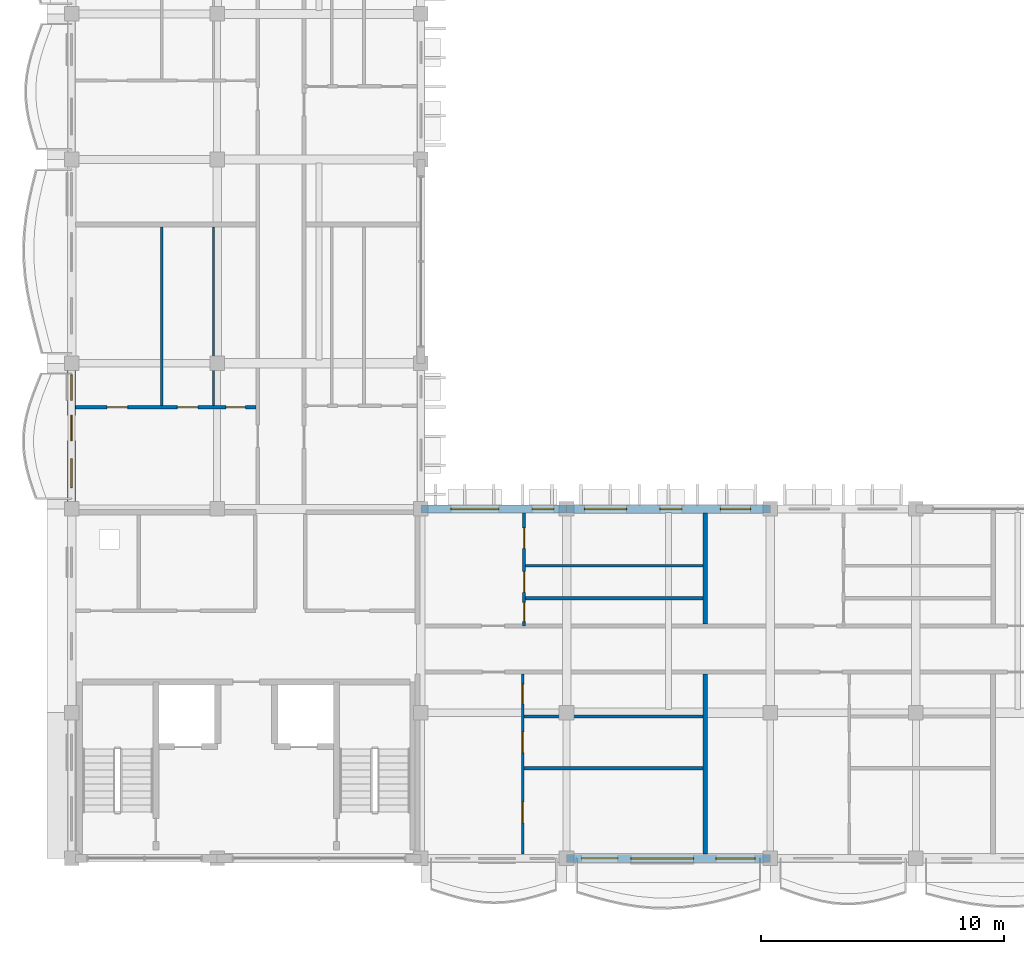
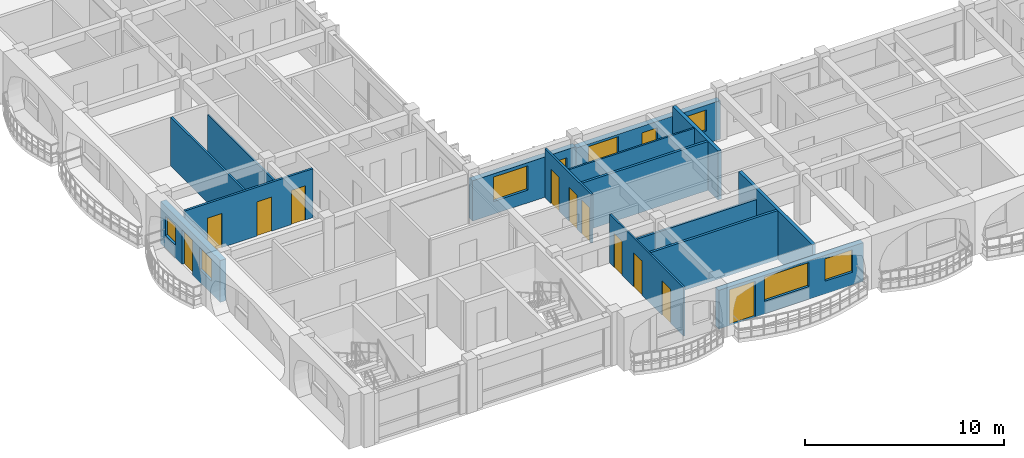
# One storey, part 26 of 79: 15 walls, 11 doors, 9 windows, 20 openings.
"""IFC4 building model written with IfcOpenShell, lengths in metres."""

from ifc_helpers import new_model, si_unit, direction, frame, frame_2d, origin, place, context, subcontext, project, spatial, rectangle, extrude, material, layer, layer_set, type_object, element, fill, save


model = new_model("IFC4")

# Units and contexts
model_context = context("Model", 3, precision=1e-05, world=origin(), true_north=direction((0.0, 1.0)))
body_context = subcontext(model_context, "Body", "Model", "MODEL_VIEW")
ifc_project = project(units=[si_unit("LENGTHUNIT", "METRE"), si_unit("AREAUNIT", "SQUARE_METRE"), si_unit("VOLUMEUNIT", "CUBIC_METRE"), si_unit("PLANEANGLEUNIT", "RADIAN"), si_unit("MASSUNIT", "GRAM", prefix="KILO"), si_unit("THERMODYNAMICTEMPERATUREUNIT", "KELVIN")], contexts=[model_context])

# Site, building, storey
site_placement = place(None, origin())
site = spatial("IfcSite", under=ifc_project, at=site_placement, CompositionType="ELEMENT")
building_placement = place(site_placement, origin())
building = spatial("IfcBuilding", under=site, at=building_placement, Name="Thalorik Housing Commons", CompositionType="ELEMENT")
storey_placement = place(building_placement, frame((0.0, 0.0, 11.39990234375)))
storey = spatial("IfcBuildingStorey", under=building, at=storey_placement, Name="L03", CompositionType="ELEMENT", Elevation=11.39990234375)

# Wall, openings, door, windows
ifc_material_1 = material(Name="White precast concrete C40/50", Category="concrete")
ifc_layer_1 = layer(ifc_material_1, 0.3349609375, Name="White precast concrete C40/50", Category="concrete")
ifc_layer_set_1 = layer_set([ifc_layer_1], Name="White precast concrete C40/50")
wall_type_1 = type_object("IfcWallType", Name="ARC-WAL-EXT-335", PredefinedType="STANDARD", material=ifc_layer_set_1)
wall_1_placement = place(storey_placement, frame((8.39990234375, 28.800048828125, 0.0), z_axis=(0.0, 0.0, 1.0), x_axis=(0.0, -1.0, 0.0)))
wall_1 = element("IfcWall", 1, at=wall_1_placement, inside=storey, type_object=wall_type_1, Name="L03 Exterior Wall WAL-EXT-L03-C-0916", PredefinedType="STANDARD", context=body_context, shape_type="SweptSolid", body=[
    extrude(rectangle(XDim=6.0, YDim=0.3349609375, at=frame_2d((3.0, 0.0))), origin(), (0.0, 0.0, 1.0), 2.5751953125),
])
opening_1_placement = place(wall_1_placement, frame((2.139892578125, 0.0, 0.0)))
opening_1 = element("IfcOpeningElement", 2, at=opening_1_placement, cuts=wall_1, Name="Opening ED-0302", PredefinedType="OPENING", context=body_context, shape_type="SweptSolid", body=[
    extrude(rectangle(XDim=1.050048828125, YDim=2.14990234375, at=frame_2d((0.52490234375, 1.074951171875))), frame((0.0, 0.177490234375, 0.0), z_axis=(0.0, -1.0, 0.0), x_axis=(1.0, 0.0, 0.0)), (0.0, 0.0, 1.0), 0.35498046875),
])
opening_2_placement = place(wall_1_placement, frame((0.47509765625, 0.0, 0.780029296875)))
opening_2 = element("IfcOpeningElement", 3, at=opening_2_placement, cuts=wall_1, Name="Opening W-44", PredefinedType="OPENING", context=body_context, shape_type="SweptSolid", body=[
    extrude(rectangle(XDim=1.050048828125, YDim=1.199951171875, at=frame_2d((0.52490234375, 0.60009765625))), frame((0.0, 0.177490234375, 0.0), z_axis=(0.0, -1.0, 0.0), x_axis=(1.0, 0.0, 0.0)), (0.0, 0.0, 1.0), 0.35498046875),
])
opening_3_placement = place(wall_1_placement, frame((3.925048828125, 0.0, 0.780029296875)))
opening_3 = element("IfcOpeningElement", 4, at=opening_3_placement, cuts=wall_1, Name="Opening W-04", PredefinedType="OPENING", context=body_context, shape_type="SweptSolid", body=[
    extrude(rectangle(XDim=1.199951171875, YDim=1.35009765625, at=frame_2d((0.60009765625, 0.675048828125))), frame((0.0, 0.177490234375, 0.0), z_axis=(0.0, -1.0, 0.0), x_axis=(1.0, 0.0, 0.0)), (0.0, 0.0, 1.0), 0.35498046875),
])
ifc_material_2 = material(Name="Anodised aluminium and laminated safety glass", Category="aluminium")
door_type_1 = type_object("IfcDoorType", Name="ARC-DR-BAL-1050", OperationType="NOTDEFINED", PredefinedType="DOOR", material=ifc_material_2)
door_1_placement = place(opening_1_placement, frame((1.050048828125, 0.0, 0.0), z_axis=(0.0, 0.0, 1.0), x_axis=(-1.0, 0.0, 0.0)))
door_1 = element("IfcDoor", 5, at=door_1_placement, inside=storey, type_object=door_type_1, Name="L03 Block C Balcony Glazed Door", OperationType="SINGLE_SWING_LEFT", OverallHeight=2.14990234375, OverallWidth=1.050048828125, PredefinedType="DOOR", context=body_context, shape_type="SweptSolid", body=[
    extrude(rectangle(XDim=1.050048828125, YDim=2.14990234375, at=frame_2d((0.52490234375, 1.074951171875))), frame((0.0, 0.02490234375, 0.0), z_axis=(0.0, -1.0, 0.0), x_axis=(1.0, 0.0, 0.0)), (0.0, 0.0, 1.0), 0.050048828125),
])
fill(opening_1, door_1)
ifc_material_3 = material(Name="Anodised aluminium and solar-control low-E glass", Category="aluminium")
window_type_1 = type_object("IfcWindowType", Name="ARC-WIN-04", PartitioningType="SINGLE_PANEL", PredefinedType="WINDOW", material=ifc_material_3)
window_1_placement = place(opening_3_placement, origin())
window_1 = element("IfcWindow", 6, at=window_1_placement, inside=storey, type_object=window_type_1, Name="L03 Facade Window 1695", OverallHeight=1.35009765625, OverallWidth=1.199951171875, PartitioningType="SINGLE_PANEL", PredefinedType="WINDOW", context=body_context, shape_type="SweptSolid", body=[
    extrude(rectangle(XDim=1.199951171875, YDim=1.35009765625, at=frame_2d((0.60009765625, 0.675048828125))), frame((0.0, 0.030029296875, 0.0), z_axis=(0.0, -1.0, 0.0), x_axis=(1.0, 0.0, 0.0)), (0.0, 0.0, 1.0), 0.06005859375),
])
fill(opening_3, window_1)
window_type_2 = type_object("IfcWindowType", Name="ARC-WIN-44", PartitioningType="SINGLE_PANEL", PredefinedType="WINDOW", material=ifc_material_3)
window_2_placement = place(opening_2_placement, origin())
window_2 = element("IfcWindow", 7, at=window_2_placement, inside=storey, type_object=window_type_2, Name="L03 Facade Window 1694", OverallHeight=1.199951171875, OverallWidth=1.050048828125, PartitioningType="SINGLE_PANEL", PredefinedType="WINDOW", context=body_context, shape_type="SweptSolid", body=[
    extrude(rectangle(XDim=1.050048828125, YDim=1.199951171875, at=frame_2d((0.52490234375, 0.60009765625))), frame((0.0, 0.030029296875, 0.0), z_axis=(0.0, -1.0, 0.0), x_axis=(1.0, 0.0, 0.0)), (0.0, 0.0, 1.0), 0.06005859375),
])
fill(opening_2, window_2)

wall_2_placement = place(storey_placement, frame((28.800048828125, 8.39990234375, 0.0), z_axis=(0.0, 0.0, 1.0), x_axis=(1.0, 0.0, 0.0)))
wall_2 = element("IfcWall", 8, at=wall_2_placement, inside=storey, type_object=wall_type_1, Name="L03 Exterior Wall WAL-EXT-L03-C-0922", PredefinedType="STANDARD", context=body_context, shape_type="SweptSolid", body=[
    extrude(rectangle(XDim=8.39990234375, YDim=0.3349609375, at=frame_2d((4.199951171875, 0.0))), origin(), (0.0, 0.0, 1.0), 2.375),
])
opening_4_placement = place(wall_2_placement, frame((0.6201171875, 0.0, 0.0)))
opening_4 = element("IfcOpeningElement", 9, at=opening_4_placement, cuts=wall_2, Name="Opening ED-0304", PredefinedType="OPENING", context=body_context, shape_type="SweptSolid", body=[
    extrude(rectangle(XDim=1.5, YDim=2.199951171875, at=frame_2d((0.75, 1.10009765625))), frame((0.0, 0.177490234375, 0.0), z_axis=(0.0, -1.0, 0.0), x_axis=(1.0, 0.0, 0.0)), (0.0, 0.0, 1.0), 0.35498046875),
])
opening_5_placement = place(wall_2_placement, frame((2.655029296875, 0.0, 0.780029296875)))
opening_5 = element("IfcOpeningElement", 10, at=opening_5_placement, cuts=wall_2, Name="Opening W-73", PredefinedType="OPENING", context=body_context, shape_type="SweptSolid", body=[
    extrude(rectangle(XDim=2.580078125, YDim=1.47998046875, at=frame_2d((1.2900390625, 0.739990234375))), frame((0.0, 0.177490234375, 0.0), z_axis=(0.0, -1.0, 0.0), x_axis=(1.0, 0.0, 0.0)), (0.0, 0.0, 1.0), 0.35498046875),
])
opening_6_placement = place(wall_2_placement, frame((6.155029296875, 0.0, 0.780029296875)))
opening_6 = element("IfcOpeningElement", 11, at=opening_6_placement, cuts=wall_2, Name="Opening W-54", PredefinedType="OPENING", context=body_context, shape_type="SweptSolid", body=[
    extrude(rectangle(XDim=1.6201171875, YDim=1.3798828125, at=frame_2d((0.81005859375, 0.68994140625))), frame((0.0, 0.177490234375, 0.0), z_axis=(0.0, -1.0, 0.0), x_axis=(1.0, 0.0, 0.0)), (0.0, 0.0, 1.0), 0.35498046875),
])
door_type_2 = type_object("IfcDoorType", Name="ARC-DR-BAL-1500", OperationType="NOTDEFINED", PredefinedType="DOOR", material=ifc_material_2)
door_2_placement = place(opening_4_placement, frame((1.5, 0.0, 0.0), z_axis=(0.0, 0.0, 1.0), x_axis=(-1.0, 0.0, 0.0)))
door_2 = element("IfcDoor", 12, at=door_2_placement, inside=storey, type_object=door_type_2, Name="L03 Block C Balcony Glazed Door", OperationType="SLIDING_TO_RIGHT", OverallHeight=2.199951171875, OverallWidth=1.5, PredefinedType="DOOR", context=body_context, shape_type="SweptSolid", body=[
    extrude(rectangle(XDim=1.5, YDim=2.199951171875, at=frame_2d((0.75, 1.10009765625))), frame((0.0, 0.02490234375, 0.0), z_axis=(0.0, -1.0, 0.0), x_axis=(1.0, 0.0, 0.0)), (0.0, 0.0, 1.0), 0.050048828125),
])
fill(opening_4, door_2)
window_type_3 = type_object("IfcWindowType", Name="ARC-WIN-54", PartitioningType="DOUBLE_PANEL_VERTICAL", PredefinedType="WINDOW", material=ifc_material_3)
window_3_placement = place(opening_6_placement, origin())
window_3 = element("IfcWindow", 13, at=window_3_placement, inside=storey, type_object=window_type_3, Name="L03 Facade Window 1703", OverallHeight=1.3798828125, OverallWidth=1.6201171875, PartitioningType="DOUBLE_PANEL_VERTICAL", PredefinedType="WINDOW", context=body_context, shape_type="SweptSolid", body=[
    extrude(rectangle(XDim=1.6201171875, YDim=1.3798828125, at=frame_2d((0.81005859375, 0.68994140625))), frame((0.0, 0.030029296875, 0.0), z_axis=(0.0, -1.0, 0.0), x_axis=(1.0, 0.0, 0.0)), (0.0, 0.0, 1.0), 0.06005859375),
])
fill(opening_6, window_3)
window_type_4 = type_object("IfcWindowType", Name="ARC-WIN-73", PartitioningType="DOUBLE_PANEL_VERTICAL", PredefinedType="WINDOW", material=ifc_material_3)
window_4_placement = place(opening_5_placement, origin())
window_4 = element("IfcWindow", 14, at=window_4_placement, inside=storey, type_object=window_type_4, Name="L03 Facade Window 1702", OverallHeight=1.47998046875, OverallWidth=2.580078125, PartitioningType="DOUBLE_PANEL_VERTICAL", PredefinedType="WINDOW", context=body_context, shape_type="SweptSolid", body=[
    extrude(rectangle(XDim=2.580078125, YDim=1.47998046875, at=frame_2d((1.2900390625, 0.739990234375))), frame((0.0, 0.030029296875, 0.0), z_axis=(0.0, -1.0, 0.0), x_axis=(1.0, 0.0, 0.0)), (0.0, 0.0, 1.0), 0.06005859375),
])
fill(opening_5, window_4)

# Wall, openings, windows
wall_3_placement = place(storey_placement, frame((37.199951171875, 22.800048828125, 0.0), z_axis=(0.0, 0.0, 1.0), x_axis=(-1.0, 0.0, 0.0)))
wall_3 = element("IfcWall", 15, at=wall_3_placement, inside=storey, type_object=wall_type_1, Name="L03 Exterior Wall WAL-EXT-L03-C-0931", PredefinedType="STANDARD", context=body_context, shape_type="SweptSolid", body=[
    extrude(rectangle(XDim=8.39990234375, YDim=0.3349609375, at=frame_2d((4.199951171875, 0.0))), origin(), (0.0, 0.0, 1.0), 2.375),
])
opening_7_placement = place(wall_3_placement, frame((0.81005859375, 0.0, 0.780029296875)))
opening_7 = element("IfcOpeningElement", 16, at=opening_7_placement, cuts=wall_3, Name="Opening W-46", PredefinedType="OPENING", context=body_context, shape_type="SweptSolid", body=[
    extrude(rectangle(XDim=1.25, YDim=1.300048828125, at=frame_2d((0.625, 0.64990234375))), frame((0.0, 0.177490234375, 0.0), z_axis=(0.0, -1.0, 0.0), x_axis=(1.0, 0.0, 0.0)), (0.0, 0.0, 1.0), 0.35498046875),
])
opening_8_placement = place(wall_3_placement, frame((3.6474609375, 0.0, 0.780029296875)))
opening_8 = element("IfcOpeningElement", 17, at=opening_8_placement, cuts=wall_3, Name="Opening W-01", PredefinedType="OPENING", context=body_context, shape_type="SweptSolid", body=[
    extrude(rectangle(XDim=0.89990234375, YDim=1.199951171875, at=frame_2d((0.449951171875, 0.60009765625))), frame((0.0, 0.177490234375, 0.0), z_axis=(0.0, -1.0, 0.0), x_axis=(1.0, 0.0, 0.0)), (0.0, 0.0, 1.0), 0.35498046875),
])
opening_9_placement = place(wall_3_placement, frame((5.91748046875, 0.0, 0.780029296875)))
opening_9 = element("IfcOpeningElement", 18, at=opening_9_placement, cuts=wall_3, Name="Opening W-17", PredefinedType="OPENING", context=body_context, shape_type="SweptSolid", body=[
    extrude(rectangle(XDim=1.75, YDim=1.449951171875, at=frame_2d((0.875, 0.72509765625))), frame((0.0, 0.177490234375, 0.0), z_axis=(0.0, -1.0, 0.0), x_axis=(1.0, 0.0, 0.0)), (0.0, 0.0, 1.0), 0.35498046875),
])
window_type_5 = type_object("IfcWindowType", Name="ARC-WIN-01", PartitioningType="SINGLE_PANEL", PredefinedType="WINDOW", material=ifc_material_3)
window_5_placement = place(opening_8_placement, origin())
window_5 = element("IfcWindow", 19, at=window_5_placement, inside=storey, type_object=window_type_5, Name="L03 Facade Window 1716", OverallHeight=1.199951171875, OverallWidth=0.89990234375, PartitioningType="SINGLE_PANEL", PredefinedType="WINDOW", context=body_context, shape_type="SweptSolid", body=[
    extrude(rectangle(XDim=0.89990234375, YDim=1.199951171875, at=frame_2d((0.449951171875, 0.60009765625))), frame((0.0, 0.030029296875, 0.0), z_axis=(0.0, -1.0, 0.0), x_axis=(1.0, 0.0, 0.0)), (0.0, 0.0, 1.0), 0.06005859375),
])
fill(opening_8, window_5)
window_type_6 = type_object("IfcWindowType", Name="ARC-WIN-17", PartitioningType="DOUBLE_PANEL_VERTICAL", PredefinedType="WINDOW", material=ifc_material_3)
window_6_placement = place(opening_9_placement, origin())
window_6 = element("IfcWindow", 20, at=window_6_placement, inside=storey, type_object=window_type_6, Name="L03 Facade Window 1717", OverallHeight=1.449951171875, OverallWidth=1.75, PartitioningType="DOUBLE_PANEL_VERTICAL", PredefinedType="WINDOW", context=body_context, shape_type="SweptSolid", body=[
    extrude(rectangle(XDim=1.75, YDim=1.449951171875, at=frame_2d((0.875, 0.72509765625))), frame((0.0, 0.030029296875, 0.0), z_axis=(0.0, -1.0, 0.0), x_axis=(1.0, 0.0, 0.0)), (0.0, 0.0, 1.0), 0.06005859375),
])
fill(opening_9, window_6)
window_type_7 = type_object("IfcWindowType", Name="ARC-WIN-46", PartitioningType="SINGLE_PANEL", PredefinedType="WINDOW", material=ifc_material_3)
window_7_placement = place(opening_7_placement, origin())
window_7 = element("IfcWindow", 21, at=window_7_placement, inside=storey, type_object=window_type_7, Name="L03 Facade Window 1715", OverallHeight=1.300048828125, OverallWidth=1.25, PartitioningType="SINGLE_PANEL", PredefinedType="WINDOW", context=body_context, shape_type="SweptSolid", body=[
    extrude(rectangle(XDim=1.25, YDim=1.300048828125, at=frame_2d((0.625, 0.64990234375))), frame((0.0, 0.030029296875, 0.0), z_axis=(0.0, -1.0, 0.0), x_axis=(1.0, 0.0, 0.0)), (0.0, 0.0, 1.0), 0.06005859375),
])
fill(opening_7, window_7)

wall_4_placement = place(storey_placement, frame((28.800048828125, 22.800048828125, 0.0), z_axis=(0.0, 0.0, 1.0), x_axis=(-1.0, 0.0, 0.0)))
wall_4 = element("IfcWall", 22, at=wall_4_placement, inside=storey, type_object=wall_type_1, Name="L03 Exterior Wall WAL-EXT-L03-C-0932", PredefinedType="STANDARD", context=body_context, shape_type="SweptSolid", body=[
    extrude(rectangle(XDim=6.0, YDim=0.3349609375, at=frame_2d((3.0, 0.0))), origin(), (0.0, 0.0, 1.0), 2.47509765625),
])
opening_10_placement = place(wall_4_placement, frame((0.5185546875, 0.0, 0.780029296875)))
opening_10 = element("IfcOpeningElement", 23, at=opening_10_placement, cuts=wall_4, Name="Opening W-01", PredefinedType="OPENING", context=body_context, shape_type="SweptSolid", body=[
    extrude(rectangle(XDim=0.89990234375, YDim=1.199951171875, at=frame_2d((0.449951171875, 0.60009765625))), frame((0.0, 0.177490234375, 0.0), z_axis=(0.0, -1.0, 0.0), x_axis=(1.0, 0.0, 0.0)), (0.0, 0.0, 1.0), 0.35498046875),
])
opening_11_placement = place(wall_4_placement, frame((2.78857421875, 0.0, 0.780029296875)))
opening_11 = element("IfcOpeningElement", 24, at=opening_11_placement, cuts=wall_4, Name="Opening W-61", PredefinedType="OPENING", context=body_context, shape_type="SweptSolid", body=[
    extrude(rectangle(XDim=1.97998046875, YDim=1.5, at=frame_2d((0.989990234375, 0.75))), frame((0.0, 0.177490234375, 0.0), z_axis=(0.0, -1.0, 0.0), x_axis=(1.0, 0.0, 0.0)), (0.0, 0.0, 1.0), 0.35498046875),
])
window_8_placement = place(opening_10_placement, origin())
window_8 = element("IfcWindow", 25, at=window_8_placement, inside=storey, type_object=window_type_5, Name="L03 Facade Window 1718", OverallHeight=1.199951171875, OverallWidth=0.89990234375, PartitioningType="SINGLE_PANEL", PredefinedType="WINDOW", context=body_context, shape_type="SweptSolid", body=[
    extrude(rectangle(XDim=0.89990234375, YDim=1.199951171875, at=frame_2d((0.449951171875, 0.60009765625))), frame((0.0, 0.030029296875, 0.0), z_axis=(0.0, -1.0, 0.0), x_axis=(1.0, 0.0, 0.0)), (0.0, 0.0, 1.0), 0.06005859375),
])
fill(opening_10, window_8)
window_type_8 = type_object("IfcWindowType", Name="ARC-WIN-61", PartitioningType="DOUBLE_PANEL_VERTICAL", PredefinedType="WINDOW", material=ifc_material_3)
window_9_placement = place(opening_11_placement, origin())
window_9 = element("IfcWindow", 26, at=window_9_placement, inside=storey, type_object=window_type_8, Name="L03 Facade Window 1719", OverallHeight=1.5, OverallWidth=1.97998046875, PartitioningType="DOUBLE_PANEL_VERTICAL", PredefinedType="WINDOW", context=body_context, shape_type="SweptSolid", body=[
    extrude(rectangle(XDim=1.97998046875, YDim=1.5, at=frame_2d((0.989990234375, 0.75))), frame((0.0, 0.030029296875, 0.0), z_axis=(0.0, -1.0, 0.0), x_axis=(1.0, 0.0, 0.0)), (0.0, 0.0, 1.0), 0.06005859375),
])
fill(opening_11, window_9)

# Wall
ifc_material_4 = material(Name="Gypsum light stud partition", Category="masonry")
ifc_layer_2 = layer(ifc_material_4, 0.10009765625, Name="Gypsum light stud partition", Category="masonry")
ifc_layer_set_2 = layer_set([ifc_layer_2], Name="Gypsum light stud partition")
wall_type_2 = type_object("IfcWallType", Name="ARC-WAL-PART-100", PredefinedType="PARTITIONING", material=ifc_layer_set_2)
wall_5_placement = place(storey_placement, frame((14.251220703125, 27.054443359375, 0.0), z_axis=(0.0, 0.0, 1.0), x_axis=(0.0, 1.0, 0.0)))
element("IfcWall", 27, at=wall_5_placement, inside=storey, type_object=wall_type_2, Name="L03 Unit 1 Wet Wall", PredefinedType="PARTITIONING", context=body_context, shape_type="SweptSolid", body=[
    extrude(rectangle(XDim=7.363525390625, YDim=0.10009765625, at=frame_2d((3.681640625, 0.0))), origin(), (0.0, 0.0, 1.0), 2.425048828125),
])

# Wall, openings, doors
wall_6_placement = place(storey_placement, frame((26.989990234375, 8.569580078125, 0.0), z_axis=(0.0, 0.0, 1.0), x_axis=(0.0, 1.0, 0.0)))
wall_6 = element("IfcWall", 28, at=wall_6_placement, inside=storey, type_object=wall_type_2, Name="L03 Unit 1 Spine Partition", PredefinedType="PARTITIONING", context=body_context, shape_type="SweptSolid", body=[
    extrude(rectangle(XDim=7.433349609375, YDim=0.10009765625, at=frame_2d((3.716796875, 0.0))), origin(), (0.0, 0.0, 1.0), 3.0),
])
opening_12_placement = place(wall_6_placement, frame((1.294189453125, 0.0, 0.0)))
opening_12 = element("IfcOpeningElement", 29, at=opening_12_placement, cuts=wall_6, Name="Opening ID-1674", PredefinedType="OPENING", context=body_context, shape_type="SweptSolid", body=[
    extrude(rectangle(XDim=0.85009765625, YDim=2.10009765625, at=frame_2d((0.425048828125, 1.050048828125))), frame((0.0, 0.06005859375, 0.0), z_axis=(0.0, -1.0, 0.0), x_axis=(1.0, 0.0, 0.0)), (0.0, 0.0, 1.0), 0.1201171875),
])
opening_13_placement = place(wall_6_placement, frame((4.18994140625, 0.0, 0.0)))
opening_13 = element("IfcOpeningElement", 30, at=opening_13_placement, cuts=wall_6, Name="Opening ID-1675", PredefinedType="OPENING", context=body_context, shape_type="SweptSolid", body=[
    extrude(rectangle(XDim=0.85009765625, YDim=2.10009765625, at=frame_2d((0.425048828125, 1.050048828125))), frame((0.0, 0.06005859375, 0.0), z_axis=(0.0, -1.0, 0.0), x_axis=(1.0, 0.0, 0.0)), (0.0, 0.0, 1.0), 0.1201171875),
])
opening_14_placement = place(wall_6_placement, frame((6.196044921875, 0.0, 0.0)))
opening_14 = element("IfcOpeningElement", 31, at=opening_14_placement, cuts=wall_6, Name="Opening ID-1676", PredefinedType="OPENING", context=body_context, shape_type="SweptSolid", body=[
    extrude(rectangle(XDim=0.800048828125, YDim=2.10009765625, at=frame_2d((0.39990234375, 1.050048828125))), frame((0.0, 0.06005859375, 0.0), z_axis=(0.0, -1.0, 0.0), x_axis=(1.0, 0.0, 0.0)), (0.0, 0.0, 1.0), 0.1201171875),
])
ifc_material_5 = material(Name="Moisture-resistant timber", Category="wood")
door_type_3 = type_object("IfcDoorType", Name="ARC-DR-INT-800", OperationType="NOTDEFINED", PredefinedType="DOOR", material=ifc_material_5)
door_3_placement = place(opening_14_placement, origin())
door_3 = element("IfcDoor", 32, at=door_3_placement, inside=storey, type_object=door_type_3, Name="L03 Accessible Bathroom Door", OperationType="SINGLE_SWING_LEFT", OverallHeight=2.10009765625, OverallWidth=0.800048828125, PredefinedType="DOOR", context=body_context, shape_type="SweptSolid", body=[
    extrude(rectangle(XDim=0.800048828125, YDim=2.10009765625, at=frame_2d((0.39990234375, 1.050048828125))), frame((0.0, 0.02490234375, 0.0), z_axis=(0.0, -1.0, 0.0), x_axis=(1.0, 0.0, 0.0)), (0.0, 0.0, 1.0), 0.050048828125),
])
fill(opening_14, door_3)
ifc_material_6 = material(Name="Engineered oak timber", Category="wood")
door_type_4 = type_object("IfcDoorType", Name="ARC-DR-INT-850", OperationType="NOTDEFINED", PredefinedType="DOOR", material=ifc_material_6)
door_4_placement = place(opening_12_placement, origin())
door_4 = element("IfcDoor", 33, at=door_4_placement, inside=storey, type_object=door_type_4, Name="L03 Double Bedroom Door", OperationType="SINGLE_SWING_LEFT", OverallHeight=2.10009765625, OverallWidth=0.85009765625, PredefinedType="DOOR", context=body_context, shape_type="SweptSolid", body=[
    extrude(rectangle(XDim=0.85009765625, YDim=2.10009765625, at=frame_2d((0.425048828125, 1.050048828125))), frame((0.0, 0.02490234375, 0.0), z_axis=(0.0, -1.0, 0.0), x_axis=(1.0, 0.0, 0.0)), (0.0, 0.0, 1.0), 0.050048828125),
])
fill(opening_12, door_4)
door_5_placement = place(opening_13_placement, origin())
door_5 = element("IfcDoor", 34, at=door_5_placement, inside=storey, type_object=door_type_4, Name="L03 Galley Kitchen Door", OperationType="SINGLE_SWING_RIGHT", OverallHeight=2.10009765625, OverallWidth=0.85009765625, PredefinedType="DOOR", context=body_context, shape_type="SweptSolid", body=[
    extrude(rectangle(XDim=0.85009765625, YDim=2.10009765625, at=frame_2d((0.425048828125, 1.050048828125))), frame((0.0, 0.02490234375, 0.0), z_axis=(0.0, -1.0, 0.0), x_axis=(1.0, 0.0, 0.0)), (0.0, 0.0, 1.0), 0.050048828125),
])
fill(opening_13, door_5)

# Walls
wall_7_placement = place(storey_placement, frame((27.1123046875, 20.455078125, 0.0), z_axis=(0.0, 0.0, 1.0), x_axis=(1.0, 0.0, 0.0)))
element("IfcWall", 35, at=wall_7_placement, inside=storey, type_object=wall_type_2, Name="L03 Unit 1B Bedroom Partition", PredefinedType="PARTITIONING", context=body_context, shape_type="SweptSolid", body=[
    extrude(rectangle(XDim=7.3056640625, YDim=0.10009765625, at=frame_2d((3.65283203125, 0.0))), origin(), (0.0, 0.0, 1.0), 3.0),
])
ifc_material_7 = material(Name="Gypsum moisture-resistant partition", Category="masonry")
ifc_layer_3 = layer(ifc_material_7, 0.114990234375, Name="Gypsum moisture-resistant partition", Category="masonry")
ifc_layer_set_3 = layer_set([ifc_layer_3], Name="Gypsum moisture-resistant partition")
wall_type_3 = type_object("IfcWallType", Name="ARC-WAL-PART-115", PredefinedType="PARTITIONING", material=ifc_layer_set_3)
wall_8_placement = place(storey_placement, frame((12.11767578125, 27.054443359375, 0.0), z_axis=(0.0, 0.0, 1.0), x_axis=(0.0, 1.0, 0.0)))
element("IfcWall", 36, at=wall_8_placement, inside=storey, type_object=wall_type_3, Name="L03 Unit 1 Bedroom Partition", PredefinedType="PARTITIONING", context=body_context, shape_type="SweptSolid", body=[
    extrude(rectangle(XDim=7.363525390625, YDim=0.114990234375, at=frame_2d((3.681640625, 0.0))), origin(), (0.0, 0.0, 1.0), 3.0),
])

# Wall, openings, doors
wall_9_placement = place(storey_placement, frame((27.052734375, 17.97998046875, 0.0), z_axis=(0.0, 0.0, 1.0), x_axis=(0.0, 1.0, 0.0)))
wall_9 = element("IfcWall", 37, at=wall_9_placement, inside=storey, type_object=wall_type_3, Name="L03 Unit 1B Spine Partition", PredefinedType="PARTITIONING", context=body_context, shape_type="SweptSolid", body=[
    extrude(rectangle(XDim=4.650634765625, YDim=0.114990234375, at=frame_2d((2.3251953125, 0.0))), origin(), (0.0, 0.0, 1.0), 3.0),
])
opening_15_placement = place(wall_9_placement, frame((0.171142578125, 0.0, 0.0)))
opening_15 = element("IfcOpeningElement", 38, at=opening_15_placement, cuts=wall_9, Name="Opening ID-1677", PredefinedType="OPENING", context=body_context, shape_type="SweptSolid", body=[
    extrude(rectangle(XDim=0.800048828125, YDim=2.10009765625, at=frame_2d((0.39990234375, 1.050048828125))), frame((0.0, 0.0673828125, 0.0), z_axis=(0.0, -1.0, 0.0), x_axis=(1.0, 0.0, 0.0)), (0.0, 0.0, 1.0), 0.135009765625),
])
opening_16_placement = place(wall_9_placement, frame((1.3837890625, 0.0, 0.0)))
opening_16 = element("IfcOpeningElement", 39, at=opening_16_placement, cuts=wall_9, Name="Opening ID-1678", PredefinedType="OPENING", context=body_context, shape_type="SweptSolid", body=[
    extrude(rectangle(XDim=0.85009765625, YDim=2.10009765625, at=frame_2d((0.425048828125, 1.050048828125))), frame((0.0, 0.0673828125, 0.0), z_axis=(0.0, -1.0, 0.0), x_axis=(1.0, 0.0, 0.0)), (0.0, 0.0, 1.0), 0.135009765625),
])
opening_17_placement = place(wall_9_placement, frame((3.192626953125, 0.0, 0.0)))
opening_17 = element("IfcOpeningElement", 40, at=opening_17_placement, cuts=wall_9, Name="Opening ID-1679", PredefinedType="OPENING", context=body_context, shape_type="SweptSolid", body=[
    extrude(rectangle(XDim=0.85009765625, YDim=2.10009765625, at=frame_2d((0.425048828125, 1.050048828125))), frame((0.0, 0.0673828125, 0.0), z_axis=(0.0, -1.0, 0.0), x_axis=(1.0, 0.0, 0.0)), (0.0, 0.0, 1.0), 0.135009765625),
])
door_6_placement = place(opening_15_placement, origin())
door_6 = element("IfcDoor", 41, at=door_6_placement, inside=storey, type_object=door_type_3, Name="L03 Flat Bathroom Door", OperationType="SINGLE_SWING_RIGHT", OverallHeight=2.10009765625, OverallWidth=0.800048828125, PredefinedType="DOOR", context=body_context, shape_type="SweptSolid", body=[
    extrude(rectangle(XDim=0.800048828125, YDim=2.10009765625, at=frame_2d((0.39990234375, 1.050048828125))), frame((0.0, 0.02490234375, 0.0), z_axis=(0.0, -1.0, 0.0), x_axis=(1.0, 0.0, 0.0)), (0.0, 0.0, 1.0), 0.050048828125),
])
fill(opening_15, door_6)
door_7_placement = place(opening_16_placement, origin())
door_7 = element("IfcDoor", 42, at=door_7_placement, inside=storey, type_object=door_type_4, Name="L03 Galley Kitchen Door", OperationType="SINGLE_SWING_LEFT", OverallHeight=2.10009765625, OverallWidth=0.85009765625, PredefinedType="DOOR", context=body_context, shape_type="SweptSolid", body=[
    extrude(rectangle(XDim=0.85009765625, YDim=2.10009765625, at=frame_2d((0.425048828125, 1.050048828125))), frame((0.0, 0.02490234375, 0.0), z_axis=(0.0, -1.0, 0.0), x_axis=(1.0, 0.0, 0.0)), (0.0, 0.0, 1.0), 0.050048828125),
])
fill(opening_16, door_7)
door_8_placement = place(opening_17_placement, origin())
door_8 = element("IfcDoor", 43, at=door_8_placement, inside=storey, type_object=door_type_4, Name="L03 Double Bedroom Door", OperationType="SINGLE_SWING_RIGHT", OverallHeight=2.10009765625, OverallWidth=0.85009765625, PredefinedType="DOOR", context=body_context, shape_type="SweptSolid", body=[
    extrude(rectangle(XDim=0.85009765625, YDim=2.10009765625, at=frame_2d((0.425048828125, 1.050048828125))), frame((0.0, 0.02490234375, 0.0), z_axis=(0.0, -1.0, 0.0), x_axis=(1.0, 0.0, 0.0)), (0.0, 0.0, 1.0), 0.050048828125),
])
fill(opening_17, door_8)

ifc_material_8 = material(Name="Gypsum acoustic stud partition", Category="masonry")
ifc_layer_4 = layer(ifc_material_8, 0.125, Name="Gypsum acoustic stud partition", Category="masonry")
ifc_layer_set_4 = layer_set([ifc_layer_4], Name="Gypsum acoustic stud partition")
wall_type_4 = type_object("IfcWallType", Name="ARC-WAL-PART-125", PredefinedType="PARTITIONING", material=ifc_layer_set_4)
wall_10_placement = place(storey_placement, frame((8.569580078125, 26.989990234375, 0.0), z_axis=(0.0, 0.0, 1.0), x_axis=(1.0, 0.0, 0.0)))
wall_10 = element("IfcWall", 44, at=wall_10_placement, inside=storey, type_object=wall_type_4, Name="L03 Unit 1 Spine Partition", PredefinedType="PARTITIONING", context=body_context, shape_type="SweptSolid", body=[
    extrude(rectangle(XDim=7.433349609375, YDim=0.125, at=frame_2d((3.716796875, 0.0))), origin(), (0.0, 0.0, 1.0), 3.0),
])
opening_18_placement = place(wall_10_placement, frame((1.294189453125, 0.0, 0.0)))
opening_18 = element("IfcOpeningElement", 45, at=opening_18_placement, cuts=wall_10, Name="Opening ID-1650", PredefinedType="OPENING", context=body_context, shape_type="SweptSolid", body=[
    extrude(rectangle(XDim=0.85009765625, YDim=2.10009765625, at=frame_2d((0.425048828125, 1.050048828125))), frame((0.0, 0.072509765625, 0.0), z_axis=(0.0, -1.0, 0.0), x_axis=(1.0, 0.0, 0.0)), (0.0, 0.0, 1.0), 0.14501953125),
])
opening_19_placement = place(wall_10_placement, frame((4.18994140625, 0.0, 0.0)))
opening_19 = element("IfcOpeningElement", 46, at=opening_19_placement, cuts=wall_10, Name="Opening ID-1651", PredefinedType="OPENING", context=body_context, shape_type="SweptSolid", body=[
    extrude(rectangle(XDim=0.85009765625, YDim=2.10009765625, at=frame_2d((0.425048828125, 1.050048828125))), frame((0.0, 0.072509765625, 0.0), z_axis=(0.0, -1.0, 0.0), x_axis=(1.0, 0.0, 0.0)), (0.0, 0.0, 1.0), 0.14501953125),
])
opening_20_placement = place(wall_10_placement, frame((6.196044921875, 0.0, 0.0)))
opening_20 = element("IfcOpeningElement", 47, at=opening_20_placement, cuts=wall_10, Name="Opening ID-1652", PredefinedType="OPENING", context=body_context, shape_type="SweptSolid", body=[
    extrude(rectangle(XDim=0.800048828125, YDim=2.10009765625, at=frame_2d((0.39990234375, 1.050048828125))), frame((0.0, 0.072509765625, 0.0), z_axis=(0.0, -1.0, 0.0), x_axis=(1.0, 0.0, 0.0)), (0.0, 0.0, 1.0), 0.14501953125),
])
door_9_placement = place(opening_20_placement, origin())
door_9 = element("IfcDoor", 48, at=door_9_placement, inside=storey, type_object=door_type_3, Name="L03 Accessible Bathroom Door", OperationType="SINGLE_SWING_LEFT", OverallHeight=2.10009765625, OverallWidth=0.800048828125, PredefinedType="DOOR", context=body_context, shape_type="SweptSolid", body=[
    extrude(rectangle(XDim=0.800048828125, YDim=2.10009765625, at=frame_2d((0.39990234375, 1.050048828125))), frame((0.0, 0.02490234375, 0.0), z_axis=(0.0, -1.0, 0.0), x_axis=(1.0, 0.0, 0.0)), (0.0, 0.0, 1.0), 0.050048828125),
])
fill(opening_20, door_9)
door_10_placement = place(opening_18_placement, origin())
door_10 = element("IfcDoor", 49, at=door_10_placement, inside=storey, type_object=door_type_4, Name="L03 Double Bedroom Door", OperationType="SINGLE_SWING_LEFT", OverallHeight=2.10009765625, OverallWidth=0.85009765625, PredefinedType="DOOR", context=body_context, shape_type="SweptSolid", body=[
    extrude(rectangle(XDim=0.85009765625, YDim=2.10009765625, at=frame_2d((0.425048828125, 1.050048828125))), frame((0.0, 0.02490234375, 0.0), z_axis=(0.0, -1.0, 0.0), x_axis=(1.0, 0.0, 0.0)), (0.0, 0.0, 1.0), 0.050048828125),
])
fill(opening_18, door_10)
door_11_placement = place(opening_19_placement, origin())
door_11 = element("IfcDoor", 50, at=door_11_placement, inside=storey, type_object=door_type_4, Name="L03 Galley Kitchen Door", OperationType="SINGLE_SWING_RIGHT", OverallHeight=2.10009765625, OverallWidth=0.85009765625, PredefinedType="DOOR", context=body_context, shape_type="SweptSolid", body=[
    extrude(rectangle(XDim=0.85009765625, YDim=2.10009765625, at=frame_2d((0.425048828125, 1.050048828125))), frame((0.0, 0.02490234375, 0.0), z_axis=(0.0, -1.0, 0.0), x_axis=(1.0, 0.0, 0.0)), (0.0, 0.0, 1.0), 0.050048828125),
])
fill(opening_19, door_11)

# Walls
wall_11_placement = place(storey_placement, frame((27.0419921875, 14.251220703125, 0.0), z_axis=(0.0, 0.0, 1.0), x_axis=(1.0, 0.0, 0.0)))
element("IfcWall", 51, at=wall_11_placement, inside=storey, type_object=wall_type_4, Name="L03 Unit 1 Wet Wall", PredefinedType="PARTITIONING", context=body_context, shape_type="SweptSolid", body=[
    extrude(rectangle(XDim=7.383544921875, YDim=0.125, at=frame_2d((3.69189453125, 0.0))), origin(), (0.0, 0.0, 1.0), 2.375),
])
ifc_material_9 = material(Name="Ceramic masonry partition wall", Category="masonry")
ifc_layer_5 = layer(ifc_material_9, 0.139892578125, Name="Ceramic masonry partition wall", Category="masonry")
ifc_layer_set_5 = layer_set([ifc_layer_5], Name="Ceramic masonry partition wall")
wall_type_5 = type_object("IfcWallType", Name="ARC-WAL-PART-140", PredefinedType="PARTITIONING", material=ifc_layer_set_5)
wall_12_placement = place(storey_placement, frame((27.0419921875, 12.11767578125, 0.0), z_axis=(0.0, 0.0, 1.0), x_axis=(1.0, 0.0, 0.0)))
element("IfcWall", 52, at=wall_12_placement, inside=storey, type_object=wall_type_5, Name="L03 Unit 1 Bedroom Partition", PredefinedType="PARTITIONING", context=body_context, shape_type="SweptSolid", body=[
    extrude(rectangle(XDim=7.383544921875, YDim=0.139892578125, at=frame_2d((3.69189453125, 0.0))), origin(), (0.0, 0.0, 1.0), 3.0),
])
wall_13_placement = place(storey_placement, frame((27.1123046875, 19.122314453125, 0.0), z_axis=(0.0, 0.0, 1.0), x_axis=(1.0, 0.0, 0.0)))
element("IfcWall", 53, at=wall_13_placement, inside=storey, type_object=wall_type_5, Name="L03 Unit 1B Wet Wall", PredefinedType="PARTITIONING", context=body_context, shape_type="SweptSolid", body=[
    extrude(rectangle(XDim=7.3056640625, YDim=0.139892578125, at=frame_2d((3.65283203125, 0.0))), origin(), (0.0, 0.0, 1.0), 3.0),
])
ifc_material_10 = material(Name="Masonry acoustic blockwork wall", Category="masonry")
ifc_layer_6 = layer(ifc_material_10, 0.18505859375, Name="Masonry acoustic blockwork wall", Category="masonry")
ifc_layer_set_6 = layer_set([ifc_layer_6], Name="Masonry acoustic blockwork wall")
wall_type_6 = type_object("IfcWallType", Name="ARC-WAL-PARTY-185", PredefinedType="PARTITIONING", material=ifc_layer_set_6)
wall_14_placement = place(storey_placement, frame((34.52001953125, 8.569580078125, 0.0), z_axis=(0.0, 0.0, 1.0), x_axis=(0.0, 1.0, 0.0)))
element("IfcWall", 54, at=wall_14_placement, inside=storey, type_object=wall_type_6, Name="L03 Inter-Tenancy Wall 1A", PredefinedType="PARTITIONING", context=body_context, shape_type="SweptSolid", body=[
    extrude(rectangle(XDim=7.433349609375, YDim=0.18505859375, at=frame_2d((3.716796875, 0.0))), origin(), (0.0, 0.0, 1.0), 3.0),
])
ifc_material_11 = material(Name="Precast concrete C40/50 acoustic wall", Category="concrete")
ifc_layer_7 = layer(ifc_material_11, 0.199951171875, Name="Precast concrete C40/50 acoustic wall", Category="concrete")
ifc_layer_set_7 = layer_set([ifc_layer_7], Name="Precast concrete C40/50 acoustic wall")
wall_type_7 = type_object("IfcWallType", Name="ARC-WAL-PARTY-200", PredefinedType="PARTITIONING", material=ifc_layer_set_7)
wall_15_placement = place(storey_placement, frame((34.52001953125, 18.064453125, 0.0), z_axis=(0.0, 0.0, 1.0), x_axis=(0.0, 1.0, 0.0)))
element("IfcWall", 55, at=wall_15_placement, inside=storey, type_object=wall_type_7, Name="L03 Inter-Tenancy Wall 1B", PredefinedType="PARTITIONING", context=body_context, shape_type="SweptSolid", body=[
    extrude(rectangle(XDim=4.566162109375, YDim=0.199951171875, at=frame_2d((2.283203125, 0.0))), origin(), (0.0, 0.0, 1.0), 3.0),
])

save(model, "model.ifc")
